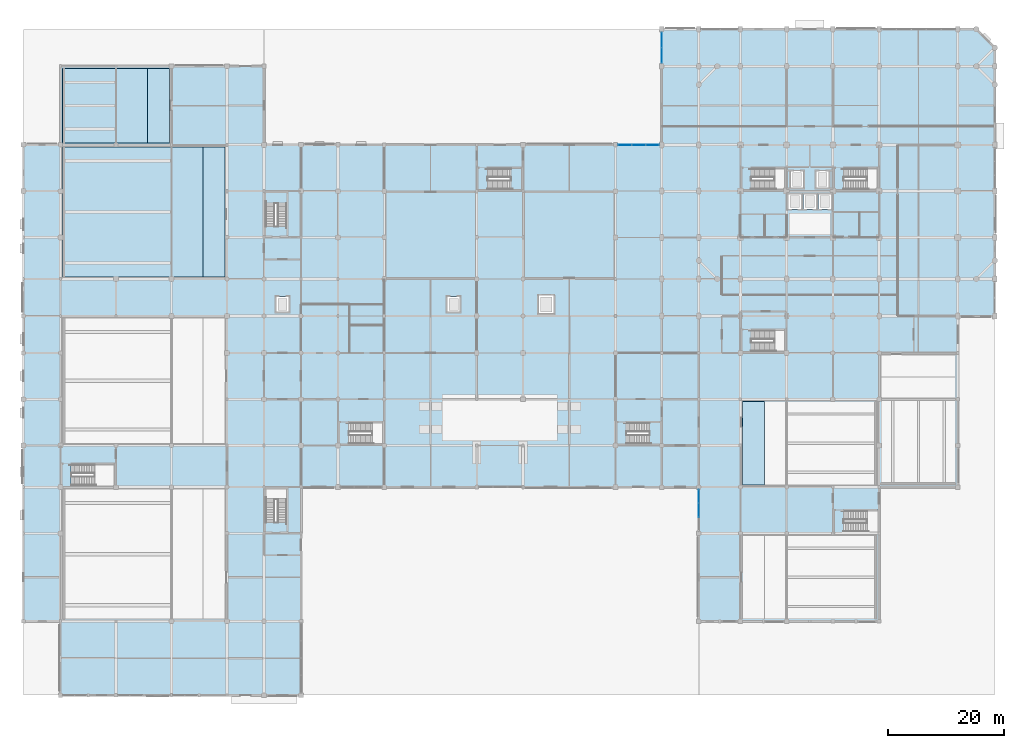
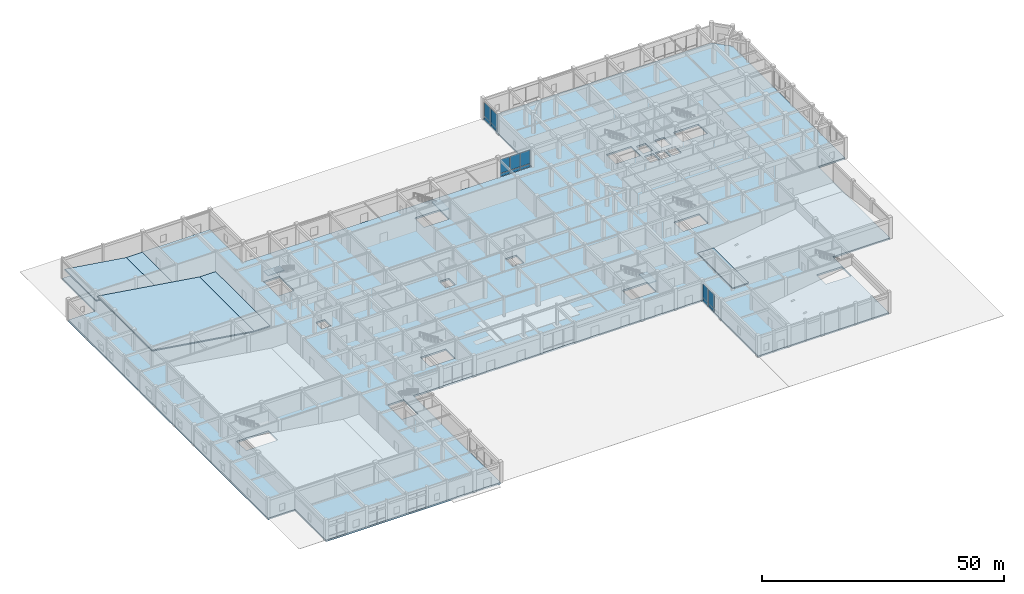
# One storey, part 21 of 40: 14 plates, 9 slabs, 6 elements without a shape of their own.
"""IFC4 building model written with IfcOpenShell, lengths in metres."""

import ifcopenshell
import ifcopenshell.guid

model = None  # the IFC model being written
_history = None  # IfcOwnerHistory: only IFC2X3 demands one
_inside = {}  # id of a spatial element -> (the spatial element, [elements in it])
_under = {}  # id of a project, library or spatial element -> (it, [spatial elements below it])
_declared = {}  # id of a project -> (the project, [libraries it declares])
_typed = {}  # id of a type object -> (the type object, [elements of that type])
_made_of = {}  # id of a material, layer set ... -> (it, [elements and type objects made of it])


def new_model(schema):
    """Start an empty IFC model of exactly this schema.

    Asked for "IFC4X3", IfcOpenShell would pick the latest addendum, in which some entities
    have other attributes; the version numbers below select the first issue.
    IFC2X3 requires an IfcOwnerHistory on every rooted entity: one is made here for all.
    """
    global model, _history
    if schema == "IFC4X3":
        model = ifcopenshell.file(schema_version=(4, 3, 0, 0))
    else:
        model = ifcopenshell.file(schema=schema)
    _inside.clear()
    _under.clear()
    _declared.clear()
    _typed.clear()
    _made_of.clear()
    _history = None
    if model.schema == "IFC2X3":
        org = make("IfcOrganization", Name="unknown")
        user = make(
            "IfcPersonAndOrganization",
            ThePerson=make("IfcPerson", FamilyName="unknown"),
            TheOrganization=org,
        )
        app = make(
            "IfcApplication",
            ApplicationDeveloper=org,
            Version="unknown",
            ApplicationFullName="unknown",
            ApplicationIdentifier="unknown",
        )
        _history = make(
            "IfcOwnerHistory",
            OwningUser=user,
            OwningApplication=app,
            ChangeAction="ADDED",
            CreationDate=0,
        )
    return model


def make(cls, **values):
    """One entity of the class cls with the attributes given. An attribute that is None is left unset."""
    return model.create_entity(
        cls, **{name: value for name, value in values.items() if value is not None}
    )


def rooted(cls, **values):
    """An entity with a GlobalId (a new one), such as an element, a storey or a relation."""
    return make(cls, GlobalId=ifcopenshell.guid.new(), OwnerHistory=_history, **values)


def si_unit(unit_type, name, prefix=None):
    """IfcSIUnit, for example si_unit("LENGTHUNIT", "METRE", prefix="MILLI")."""
    return make("IfcSIUnit", UnitType=unit_type, Prefix=prefix, Name=name)


def assignment(units):
    """IfcUnitAssignment: the units of a project."""
    return None if units is None else make("IfcUnitAssignment", Units=units)


def point(xyz):
    """IfcCartesianPoint."""
    return None if xyz is None else make("IfcCartesianPoint", Coordinates=xyz)


def direction(xyz):
    """IfcDirection."""
    return None if xyz is None else make("IfcDirection", DirectionRatios=xyz)


def frame(location, z_axis=None, x_axis=None):
    """IfcAxis2Placement3D, a coordinate frame: its origin and axes. An axis left out is left unset."""
    return make(
        "IfcAxis2Placement3D",
        Location=point(location),
        Axis=direction(z_axis),
        RefDirection=direction(x_axis),
    )


def frame_2d(location, x_axis=None):
    """IfcAxis2Placement2D, a coordinate frame in the plane: its origin and x axis."""
    return make(
        "IfcAxis2Placement2D", Location=point(location), RefDirection=direction(x_axis)
    )


def origin():
    """The frame at (0, 0, 0) with its axes left unset."""
    return frame((0.0, 0.0, 0.0))


def origin_2d():
    """The frame at (0, 0) in the plane with its x axis left unset."""
    return frame_2d((0.0, 0.0))


def place(relative_to, where):
    """IfcLocalPlacement: puts the frame where relative to a parent placement (None: the world)."""
    return make(
        "IfcLocalPlacement", PlacementRelTo=relative_to, RelativePlacement=where
    )


def context(
    kind, dimensions, precision=None, world=None, true_north=None, identifier=None
):
    """IfcGeometricRepresentationContext, for example the 3D "Model" context."""
    return make(
        "IfcGeometricRepresentationContext",
        ContextIdentifier=identifier,
        ContextType=kind,
        CoordinateSpaceDimension=dimensions,
        Precision=precision,
        WorldCoordinateSystem=world,
        TrueNorth=true_north,
    )


def subcontext(parent, identifier, kind, view, scale=None):
    """IfcGeometricRepresentationSubContext, for example "Body" below "Model"."""
    return make(
        "IfcGeometricRepresentationSubContext",
        ContextIdentifier=identifier,
        ContextType=kind,
        ParentContext=parent,
        TargetScale=scale,
        TargetView=view,
    )


def project(units=None, contexts=None):
    """IfcProject with its units and contexts."""
    return rooted(
        "IfcProject",
        Name="project",
        RepresentationContexts=contexts,
        UnitsInContext=assignment(units),
    )


def spatial(cls, under=None, at=None, **own):
    """A site, building, storey or space (cls), placed at a placement, below another one or the project."""
    s = rooted(cls, ObjectPlacement=at, **own)
    if under is not None:
        _under.setdefault(under.id(), (under, []))[1].append(s)
    return s


def polyline(points):
    """IfcPolyline through the points."""
    return make("IfcPolyline", Points=[point(p) for p in points])


def profile(cls, at=None, kind="AREA", **sizes):
    """A parametric profile (cls). Its sizes go by their IFC names, for example OverallWidth=200.0."""
    return make(cls, ProfileType=kind, Position=at, **sizes)


def rectangle(**sizes):
    """IfcRectangleProfileDef."""
    return profile("IfcRectangleProfileDef", **sizes)


def outline(outer, holes=None, kind="AREA"):
    """IfcArbitraryClosedProfileDef: a profile drawn as a closed curve; with holes, ...WithVoids."""
    if holes is None:
        return make("IfcArbitraryClosedProfileDef", ProfileType=kind, OuterCurve=outer)
    return make(
        "IfcArbitraryProfileDefWithVoids",
        ProfileType=kind,
        OuterCurve=outer,
        InnerCurves=holes,
    )


def extrude(swept, where, along, depth):
    """IfcExtrudedAreaSolid: the profile swept, set in the frame where, extruded along a direction by depth."""
    return make(
        "IfcExtrudedAreaSolid",
        SweptArea=swept,
        Position=where,
        ExtrudedDirection=direction(along),
        Depth=depth,
    )


def shape(context_of_items, identifier, shape_type, items):
    """IfcShapeRepresentation: the items that make up one representation, for example the "Body"."""
    return make(
        "IfcShapeRepresentation",
        ContextOfItems=context_of_items,
        RepresentationIdentifier=identifier,
        RepresentationType=shape_type,
        Items=items,
    )


def material(Name=None, Category=None):
    """IfcMaterial."""
    return make("IfcMaterial", Name=Name, Category=Category)


def layer(
    of_material, thickness, ventilated=None, Name=None, Category=None, Priority=None
):
    """IfcMaterialLayer: one layer of a wall or slab, of a material (None: an air gap)."""
    return make(
        "IfcMaterialLayer",
        Material=of_material,
        LayerThickness=thickness,
        IsVentilated=ventilated,
        Name=Name,
        Category=Category,
        Priority=Priority,
    )


def layer_set(layers, Name=None):
    """IfcMaterialLayerSet."""
    return make("IfcMaterialLayerSet", MaterialLayers=layers, LayerSetName=Name)


def made_of(thing, what):
    """Note that an element or type object is made of a material, layer set ...; save() writes the relation."""
    if what is not None:
        _made_of.setdefault(what.id(), (what, []))[1].append(thing)
    return thing


def type_object(cls, material=None, **own):
    """A type object (cls), such as IfcWallType, which elements share."""
    return made_of(rooted(cls, **own), material)


def element(
    cls,
    number,
    at=None,
    inside=None,
    cuts=None,
    type_object=None,
    material=None,
    context=None,
    identifier="Body",
    shape_type=None,
    held_by="IfcProductDefinitionShape",
    body=None,
    shapes=None,
    **own,
):
    """One element of the class cls, such as IfcWall. Its Tag is "e" and its number.

    at: its placement. inside: the storey or other place that contains it. cuts: it is an
    opening in that element (IfcRelVoidsElement). A single representation is given by context,
    identifier, shape_type and body (its items); several are given by shapes. held_by: the class
    of the entity that holds the representations. save() writes the other relations.
    """
    e = rooted(cls, Tag="e%d" % number, ObjectPlacement=at, **own)
    if body is not None:
        shapes = [shape(context, identifier, shape_type, body)]
    if shapes is not None:
        e.Representation = make(held_by, Representations=shapes)
    if inside is not None:
        _inside.setdefault(inside.id(), (inside, []))[1].append(e)
    if cuts is not None:
        rooted(
            "IfcRelVoidsElement", RelatingBuildingElement=cuts, RelatedOpeningElement=e
        )
    if type_object is not None:
        _typed.setdefault(type_object.id(), (type_object, []))[1].append(e)
    return made_of(e, material)


def aggregate(whole, parts):
    """IfcRelAggregates: a whole, such as a stair, and the parts it consists of."""
    return rooted("IfcRelAggregates", RelatingObject=whole, RelatedObjects=parts)


def save(model, path):
    """Write the relations noted so far, then the file.

    IfcRelAggregates (storeys below a building ...), IfcRelContainedInSpatialStructure (elements
    in a storey), IfcRelDefinesByType, IfcRelAssociatesMaterial and IfcRelDeclares: one each for
    every whole, place, type object, material and project.
    """
    for whole, parts in _under.values():
        aggregate(whole, parts)
    for where, things in _inside.values():
        rooted(
            "IfcRelContainedInSpatialStructure",
            RelatedElements=things,
            RelatingStructure=where,
        )
    for kind, things in _typed.values():
        rooted("IfcRelDefinesByType", RelatedObjects=things, RelatingType=kind)
    for what, things in _made_of.values():
        rooted("IfcRelAssociatesMaterial", RelatedObjects=things, RelatingMaterial=what)
    for by, libraries in _declared.values():
        rooted("IfcRelDeclares", RelatingContext=by, RelatedDefinitions=libraries)
    model.write(path)


model = new_model("IFC4")

# Units and contexts
model_context = context("Model", 3, precision=1e-05, world=origin(), true_north=direction((0.0, 1.0)))
body_context = subcontext(model_context, "Body", "Model", "MODEL_VIEW")
ifc_project = project(units=[si_unit("LENGTHUNIT", "METRE"), si_unit("AREAUNIT", "SQUARE_METRE"), si_unit("VOLUMEUNIT", "CUBIC_METRE"), si_unit("PLANEANGLEUNIT", "RADIAN"), si_unit("MASSUNIT", "GRAM", prefix="KILO")], contexts=[model_context])

# Site, building, storey
site_placement = place(None, origin())
site = spatial("IfcSite", under=ifc_project, at=site_placement, CompositionType="ELEMENT")
building_placement = place(site_placement, origin())
building = spatial("IfcBuilding", under=site, at=building_placement, Name="Vellmiral Cinema and Media Centre", CompositionType="ELEMENT")
storey_placement = place(building_placement, origin())
storey = spatial("IfcBuildingStorey", under=building, at=storey_placement, Name="L00", CompositionType="ELEMENT", Elevation=0.0)

# Curtain wall, plates
ifc_material_1 = material(Name="Thermally Broken Aluminium and Triple Glazing", Category="aluminium")
curtain_wall_type_1 = type_object("IfcCurtainWallType", Name="CW-LIB-BAY", PredefinedType="USERDEFINED", material=ifc_material_1)
curtain_wall_1_placement = place(storey_placement, origin())
curtain_wall_1 = element("IfcCurtainWall", 1, at=curtain_wall_1_placement, inside=storey, type_object=curtain_wall_type_1, Name="Curtain Wall L00-B053", ObjectType="STICK CURTAIN WALL", PredefinedType="USERDEFINED")
ifc_material_2 = material(Name="Laminated Studio Acoustic Glazing", Category="glass")
ifc_layer_1 = layer(ifc_material_2, 0.0439453125, Name="Laminated Studio Acoustic Glazing")
ifc_layer_set_1 = layer_set([ifc_layer_1], Name="Laminated Studio Acoustic Glazing")
plate_type_1 = type_object("IfcPlateType", Name="CWP-ACOUST-44", PredefinedType="CURTAIN_PANEL", material=ifc_layer_set_1)
plate_1_placement = place(storey_placement, frame((110.39990234375, 113.33251953125, 0.93505859375), z_axis=(0.0, 0.0, 1.0), x_axis=(0.0, -1.0, 0.0)))
plate_1 = element("IfcPlate", 2, at=plate_1_placement, type_object=plate_type_1, Name="CW-03 panel 1.2", PredefinedType="CURTAIN_PANEL", context=body_context, shape_type="SweptSolid", body=[
    extrude(rectangle(XDim=2.594970703125, YDim=0.0439453125, at=origin_2d()), origin(), (0.0, 0.0, 1.0), 3.47509765625),
])
plate_2_placement = place(storey_placement, frame((110.39990234375, 110.66748046875, 0.93505859375), z_axis=(0.0, 0.0, 1.0), x_axis=(0.0, -1.0, 0.0)))
plate_2 = element("IfcPlate", 3, at=plate_2_placement, type_object=plate_type_1, Name="CW-03 panel 2.2", PredefinedType="CURTAIN_PANEL", context=body_context, shape_type="SweptSolid", body=[
    extrude(rectangle(XDim=2.594970703125, YDim=0.0439453125, at=origin_2d()), origin(), (0.0, 0.0, 1.0), 3.47509765625),
])

curtain_wall_2_placement = place(storey_placement, origin())
curtain_wall_2 = element("IfcCurtainWall", 4, at=curtain_wall_2_placement, inside=storey, type_object=curtain_wall_type_1, Name="Curtain Wall L00-B055", ObjectType="STICK CURTAIN WALL", PredefinedType="USERDEFINED")
plate_3_placement = place(storey_placement, frame((108.799072265625, 95.199951171875, 0.93505859375), z_axis=(0.0, 0.0, 1.0), x_axis=(-1.0, 0.0, 0.0)))
plate_3 = element("IfcPlate", 5, at=plate_3_placement, type_object=plate_type_1, Name="CW-03 panel 1.2", PredefinedType="CURTAIN_PANEL", context=body_context, shape_type="SweptSolid", body=[
    extrude(rectangle(XDim=2.311767578125, YDim=0.0439453125, at=origin_2d()), origin(), (0.0, 0.0, 1.0), 3.47509765625),
])
plate_4_placement = place(storey_placement, frame((106.39990234375, 95.199951171875, 0.93505859375), z_axis=(0.0, 0.0, 1.0), x_axis=(-1.0, 0.0, 0.0)))
plate_4 = element("IfcPlate", 6, at=plate_4_placement, type_object=plate_type_1, Name="CW-03 panel 2.2", PredefinedType="CURTAIN_PANEL", context=body_context, shape_type="SweptSolid", body=[
    extrude(rectangle(XDim=2.3466796875, YDim=0.0439453125, at=origin_2d()), origin(), (0.0, 0.0, 1.0), 3.47509765625),
])
plate_5_placement = place(storey_placement, frame((104.000732421875, 95.199951171875, 0.93505859375), z_axis=(0.0, 0.0, 1.0), x_axis=(-1.0, 0.0, 0.0)))
plate_5 = element("IfcPlate", 7, at=plate_5_placement, type_object=plate_type_1, Name="CW-03 panel 3.2", PredefinedType="CURTAIN_PANEL", context=body_context, shape_type="SweptSolid", body=[
    extrude(rectangle(XDim=2.311767578125, YDim=0.0439453125, at=origin_2d()), origin(), (0.0, 0.0, 1.0), 3.47509765625),
])

# Plate
ifc_material_3 = material(Name="Honed Vosges Sandstone Spandrel Panel", Category="masonry")
ifc_layer_2 = layer(ifc_material_3, 0.06005859375, Name="Honed Vosges Sandstone Spandrel Panel")
ifc_layer_set_2 = layer_set([ifc_layer_2], Name="Honed Vosges Sandstone Spandrel Panel")
plate_type_2 = type_object("IfcPlateType", Name="CWP-SAND-60", PredefinedType="CURTAIN_PANEL", material=ifc_layer_set_2)
plate_6_placement = place(storey_placement, frame((110.39990234375, 113.33251953125, 0.070068359375), z_axis=(0.0, 0.0, 1.0), x_axis=(0.0, -1.0, 0.0)))
plate_6 = element("IfcPlate", 8, at=plate_6_placement, type_object=plate_type_2, Name="CW-03 panel 1.1", PredefinedType="CURTAIN_PANEL", context=body_context, shape_type="SweptSolid", body=[
    extrude(rectangle(XDim=2.594970703125, YDim=0.06005859375, at=origin_2d()), origin(), (0.0, 0.0, 1.0), 0.794921875),
])

plate_7_placement = place(storey_placement, frame((110.39990234375, 110.66748046875, 0.070068359375), z_axis=(0.0, 0.0, 1.0), x_axis=(0.0, -1.0, 0.0)))
plate_7 = element("IfcPlate", 9, at=plate_7_placement, type_object=plate_type_2, Name="CW-03 panel 2.1", PredefinedType="CURTAIN_PANEL", context=body_context, shape_type="SweptSolid", body=[
    extrude(rectangle(XDim=2.594970703125, YDim=0.06005859375, at=origin_2d()), origin(), (0.0, 0.0, 1.0), 0.794921875),
])

aggregate(curtain_wall_1, [plate_6, plate_1, plate_7, plate_2])

plate_8_placement = place(storey_placement, frame((108.799072265625, 95.199951171875, 0.070068359375), z_axis=(0.0, 0.0, 1.0), x_axis=(-1.0, 0.0, 0.0)))
plate_8 = element("IfcPlate", 10, at=plate_8_placement, type_object=plate_type_2, Name="CW-03 panel 1.1", PredefinedType="CURTAIN_PANEL", context=body_context, shape_type="SweptSolid", body=[
    extrude(rectangle(XDim=2.311767578125, YDim=0.06005859375, at=origin_2d()), origin(), (0.0, 0.0, 1.0), 0.794921875),
])

plate_9_placement = place(storey_placement, frame((106.39990234375, 95.199951171875, 0.070068359375), z_axis=(0.0, 0.0, 1.0), x_axis=(-1.0, 0.0, 0.0)))
plate_9 = element("IfcPlate", 11, at=plate_9_placement, type_object=plate_type_2, Name="CW-03 panel 2.1", PredefinedType="CURTAIN_PANEL", context=body_context, shape_type="SweptSolid", body=[
    extrude(rectangle(XDim=2.3466796875, YDim=0.06005859375, at=origin_2d()), origin(), (0.0, 0.0, 1.0), 0.794921875),
])

plate_10_placement = place(storey_placement, frame((104.000732421875, 95.199951171875, 0.070068359375), z_axis=(0.0, 0.0, 1.0), x_axis=(-1.0, 0.0, 0.0)))
plate_10 = element("IfcPlate", 12, at=plate_10_placement, type_object=plate_type_2, Name="CW-03 panel 3.1", PredefinedType="CURTAIN_PANEL", context=body_context, shape_type="SweptSolid", body=[
    extrude(rectangle(XDim=2.311767578125, YDim=0.06005859375, at=origin_2d()), origin(), (0.0, 0.0, 1.0), 0.794921875),
])

aggregate(curtain_wall_2, [plate_8, plate_3, plate_9, plate_4, plate_10, plate_5])

# Curtain wall, plates
ifc_material_4 = material(Name="Thermally Broken Aluminium and Triple Glazing", Category="aluminium")
curtain_wall_type_2 = type_object("IfcCurtainWallType", Name="CW-POD-GALLERY", PredefinedType="USERDEFINED", material=ifc_material_4)
curtain_wall_3_placement = place(storey_placement, origin())
curtain_wall_3 = element("IfcCurtainWall", 13, at=curtain_wall_3_placement, inside=storey, type_object=curtain_wall_type_2, Name="Curtain Wall L00-B019", ObjectType="STICK CURTAIN WALL", PredefinedType="USERDEFINED")
ifc_material_5 = material(Name="Polychrome Trencadis Ceramic Spandrel Panel", Category="ceramic")
ifc_layer_3 = layer(ifc_material_5, 0.052001953125, Name="Polychrome Trencadis Ceramic Spandrel Panel")
ifc_layer_set_3 = layer_set([ifc_layer_3], Name="Polychrome Trencadis Ceramic Spandrel Panel")
plate_type_3 = type_object("IfcPlateType", Name="CWP-TRENC-52", PredefinedType="CURTAIN_PANEL", material=ifc_layer_set_3)
plate_11_placement = place(storey_placement, frame((116.800048828125, 34.399169921875, 0.070068359375), z_axis=(0.0, 0.0, 1.0), x_axis=(0.0, -1.0, 0.0)))
plate_11 = element("IfcPlate", 14, at=plate_11_placement, type_object=plate_type_3, Name="CW-04 panel 1.1", PredefinedType="CURTAIN_PANEL", context=body_context, shape_type="SweptSolid", body=[
    extrude(rectangle(XDim=2.311767578125, YDim=0.052001953125, at=origin_2d()), origin(), (0.0, 0.0, 1.0), 0.794921875),
])
plate_12_placement = place(storey_placement, frame((116.800048828125, 32.0, 0.070068359375), z_axis=(0.0, 0.0, 1.0), x_axis=(0.0, -1.0, 0.0)))
plate_12 = element("IfcPlate", 15, at=plate_12_placement, type_object=plate_type_3, Name="CW-04 panel 2.1", PredefinedType="CURTAIN_PANEL", context=body_context, shape_type="SweptSolid", body=[
    extrude(rectangle(XDim=2.3466796875, YDim=0.052001953125, at=origin_2d()), origin(), (0.0, 0.0, 1.0), 0.794921875),
])
ifc_material_6 = material(Name="Triple Low-E Vision Glazing", Category="glass")
ifc_layer_4 = layer(ifc_material_6, 0.0380859375, Name="Triple Low-E Vision Glazing")
ifc_layer_set_4 = layer_set([ifc_layer_4], Name="Triple Low-E Vision Glazing")
plate_type_4 = type_object("IfcPlateType", Name="CWP-VISION-38", PredefinedType="CURTAIN_PANEL", material=ifc_layer_set_4)
plate_13_placement = place(storey_placement, frame((116.800048828125, 34.399169921875, 0.93505859375), z_axis=(0.0, 0.0, 1.0), x_axis=(0.0, -1.0, 0.0)))
plate_13 = element("IfcPlate", 16, at=plate_13_placement, type_object=plate_type_4, Name="CW-04 panel 1.2", PredefinedType="CURTAIN_PANEL", context=body_context, shape_type="SweptSolid", body=[
    extrude(rectangle(XDim=2.311767578125, YDim=0.0380859375, at=origin_2d()), origin(), (0.0, 0.0, 1.0), 3.47509765625),
])
plate_14_placement = place(storey_placement, frame((116.800048828125, 32.0, 0.93505859375), z_axis=(0.0, 0.0, 1.0), x_axis=(0.0, -1.0, 0.0)))
plate_14 = element("IfcPlate", 17, at=plate_14_placement, type_object=plate_type_4, Name="CW-04 panel 2.2", PredefinedType="CURTAIN_PANEL", context=body_context, shape_type="SweptSolid", body=[
    extrude(rectangle(XDim=2.3466796875, YDim=0.0380859375, at=origin_2d()), origin(), (0.0, 0.0, 1.0), 3.47509765625),
])
aggregate(curtain_wall_3, [plate_11, plate_13, plate_12, plate_14])

# Slab
ifc_material_7 = material(Name="Concrete C40/50", Category="concrete")
ifc_layer_5 = layer(ifc_material_7, 0.419921875, Name="Concrete C40/50")
ifc_layer_set_5 = layer_set([ifc_layer_5], Name="Concrete C40/50")
slab_type_1 = type_object("IfcSlabType", Name="SLB-FLR-420", PredefinedType="FLOOR", material=ifc_layer_set_5)
slab_1_placement = place(storey_placement, frame((0.0, 0.0, -0.419921875)))
element("IfcSlab", 18, at=slab_1_placement, inside=storey, type_object=slab_type_1, Name="L00 Structural Slab", PredefinedType="FLOOR", context=body_context, shape_type="SweptSolid", body=[
    extrude(outline(polyline([(6.39990234375, 0.0), (48.0, 0.0), (48.0, 36.0), (116.800048828125, 36.0), (116.800048828125, 12.800048828125), (148.0, 12.800048828125), (148.0, 36.0), (161.60009765625, 36.0), (161.60009765625, 65.60009765625), (168.0, 65.60009765625), (168.0, 112.0), (164.800048828125, 115.199951171875), (110.39990234375, 115.199951171875), (110.39990234375, 95.199951171875), (41.60009765625, 95.199951171875), (41.60009765625, 108.800048828125), (6.39990234375, 108.800048828125), (6.39990234375, 95.199951171875), (0.0, 95.199951171875), (0.0, 12.800048828125), (6.39990234375, 12.800048828125), (6.39990234375, 0.0)]), holes=[polyline([(41.780029296875, 29.85009765625), (45.6201171875, 29.85009765625), (45.6201171875, 35.820068359375), (41.780029296875, 35.820068359375), (41.780029296875, 29.85009765625)]), polyline([(41.780029296875, 81.050048828125), (45.6201171875, 81.050048828125), (45.6201171875, 87.02001953125), (41.780029296875, 87.02001953125), (41.780029296875, 81.050048828125)]), polyline([(56.25, 43.3798828125), (62.219970703125, 43.3798828125), (62.219970703125, 47.219970703125), (56.25, 47.219970703125), (56.25, 43.3798828125)]), polyline([(104.25, 43.3798828125), (110.219970703125, 43.3798828125), (110.219970703125, 47.219970703125), (104.25, 47.219970703125), (104.25, 43.3798828125)]), polyline([(80.25, 87.3798828125), (86.219970703125, 87.3798828125), (86.219970703125, 91.219970703125), (80.25, 91.219970703125), (80.25, 87.3798828125)]), polyline([(125.85009765625, 59.3798828125), (131.820068359375, 59.3798828125), (131.820068359375, 63.219970703125), (125.85009765625, 63.219970703125), (125.85009765625, 59.3798828125)]), polyline([(8.25, 36.179931640625), (15.820068359375, 36.179931640625), (15.820068359375, 40.02001953125), (8.25, 40.02001953125), (8.25, 36.179931640625)]), polyline([(141.85009765625, 28.179931640625), (147.820068359375, 28.179931640625), (147.820068359375, 32.02001953125), (141.85009765625, 32.02001953125), (141.85009765625, 28.179931640625)]), polyline([(125.85009765625, 87.3798828125), (131.820068359375, 87.3798828125), (131.820068359375, 91.219970703125), (125.85009765625, 91.219970703125), (125.85009765625, 87.3798828125)]), polyline([(141.85009765625, 87.3798828125), (147.820068359375, 87.3798828125), (147.820068359375, 91.219970703125), (141.85009765625, 91.219970703125), (141.85009765625, 87.3798828125)]), polyline([(132.699951171875, 87.75), (134.89990234375, 87.75), (134.89990234375, 90.64990234375), (132.699951171875, 90.64990234375), (132.699951171875, 87.75)]), polyline([(137.10009765625, 87.75), (139.300048828125, 87.75), (139.300048828125, 90.64990234375), (137.10009765625, 90.64990234375), (137.10009765625, 87.75)]), polyline([(132.300048828125, 84.10009765625), (134.5, 84.10009765625), (134.5, 86.699951171875), (132.300048828125, 86.699951171875), (132.300048828125, 84.10009765625)]), polyline([(134.89990234375, 84.10009765625), (137.10009765625, 84.10009765625), (137.10009765625, 86.699951171875), (134.89990234375, 86.699951171875), (134.89990234375, 84.10009765625)]), polyline([(137.5, 84.10009765625), (139.699951171875, 84.10009765625), (139.699951171875, 86.699951171875), (137.5, 86.699951171875), (137.5, 84.10009765625)]), polyline([(43.699951171875, 66.300048828125), (45.89990234375, 66.300048828125), (45.89990234375, 68.89990234375), (43.699951171875, 68.89990234375), (43.699951171875, 66.300048828125)]), polyline([(73.300048828125, 66.300048828125), (75.5, 66.300048828125), (75.5, 68.89990234375), (73.300048828125, 68.89990234375), (73.300048828125, 66.300048828125)]), polyline([(89.10009765625, 66.050048828125), (91.699951171875, 66.050048828125), (91.699951171875, 69.14990234375), (89.10009765625, 69.14990234375), (89.10009765625, 66.050048828125)])]), origin(), (0.0, 0.0, 1.0), 0.419921875),
])

# Stair, slab
ifc_material_8 = material(Name="Concrete C40/50", Category="concrete")
stair_type = type_object("IfcStairType", Name="ST-2RET-540", PredefinedType="HALF_TURN_STAIR", material=ifc_material_8)
stair_1_placement = place(storey_placement, origin())
stair_1 = element("IfcStair", 19, at=stair_1_placement, inside=storey, type_object=stair_type, Name="Protected Escape Stair ST-P2 (L00)", PredefinedType="HALF_TURN_STAIR")
ifc_material_9 = material(Name="Concrete C40/50", Category="concrete")
ifc_layer_6 = layer(ifc_material_9, 0.219970703125, Name="Concrete C40/50")
ifc_layer_set_6 = layer_set([ifc_layer_6], Name="Concrete C40/50")
slab_type_2 = type_object("IfcSlabType", Name="SLB-LAND-220", PredefinedType="LANDING", material=ifc_layer_set_6)
slab_2_placement = place(storey_placement, frame((0.0, 0.0, 2.47998046875)))
slab_2 = element("IfcSlab", 20, at=slab_2_placement, type_object=slab_type_2, Name="ST-P2 landing 1", PredefinedType="LANDING", context=body_context, shape_type="SweptSolid", body=[
    extrude(outline(polyline([(41.780029296875, 85.110107421875), (45.6201171875, 85.110107421875), (45.6201171875, 87.02001953125), (41.780029296875, 87.02001953125), (41.780029296875, 85.110107421875)])), origin(), (0.0, 0.0, 1.0), 0.219970703125),
])
aggregate(stair_1, [slab_2])

stair_2_placement = place(storey_placement, origin())
stair_2 = element("IfcStair", 21, at=stair_2_placement, inside=storey, type_object=stair_type, Name="Protected Escape Stair ST-P4 (L00)", PredefinedType="HALF_TURN_STAIR")
slab_3_placement = place(storey_placement, frame((0.0, 0.0, 2.47998046875)))
slab_3 = element("IfcSlab", 22, at=slab_3_placement, type_object=slab_type_2, Name="ST-P4 landing 1", PredefinedType="LANDING", context=body_context, shape_type="SweptSolid", body=[
    extrude(outline(polyline([(108.31005859375, 43.3798828125), (110.219970703125, 43.3798828125), (110.219970703125, 47.219970703125), (108.31005859375, 47.219970703125), (108.31005859375, 43.3798828125)])), origin(), (0.0, 0.0, 1.0), 0.219970703125),
])
aggregate(stair_2, [slab_3])

stair_3_placement = place(storey_placement, origin())
stair_3 = element("IfcStair", 23, at=stair_3_placement, inside=storey, type_object=stair_type, Name="Protected Escape Stair ST-P5 (L00)", PredefinedType="HALF_TURN_STAIR")
slab_4_placement = place(storey_placement, frame((0.0, 0.0, 2.47998046875)))
slab_4 = element("IfcSlab", 24, at=slab_4_placement, type_object=slab_type_2, Name="ST-P5 landing 1", PredefinedType="LANDING", context=body_context, shape_type="SweptSolid", body=[
    extrude(outline(polyline([(84.31005859375, 87.3798828125), (86.219970703125, 87.3798828125), (86.219970703125, 91.219970703125), (84.31005859375, 91.219970703125), (84.31005859375, 87.3798828125)])), origin(), (0.0, 0.0, 1.0), 0.219970703125),
])
aggregate(stair_3, [slab_4])

# Slabs
ifc_material_10 = material(Name="Concrete C40/50", Category="concrete")
ifc_layer_7 = layer(ifc_material_10, 0.199951171875, Name="Concrete C40/50")
ifc_layer_set_7 = layer_set([ifc_layer_7], Name="Concrete C40/50")
slab_type_3 = type_object("IfcSlabType", Name="SLB-PLAT-200", PredefinedType="FLOOR", material=ifc_layer_set_7)
slab_5_placement = place(storey_placement, origin())
element("IfcSlab", 25, at=slab_5_placement, inside=storey, type_object=slab_type_3, Name="Cinema Screen 3 Wheelchair Seating Platform", PredefinedType="FLOOR", context=body_context, shape_type="SweptSolid", body=[
    extrude(outline(polyline([(31.050048828125, 72.35009765625), (34.85009765625, 72.35009765625), (34.85009765625, 94.85009765625), (31.050048828125, 94.85009765625), (31.050048828125, 72.35009765625)])), origin(), (0.0, 0.0, 1.0), 0.199951171875),
])
slab_6_placement = place(storey_placement, origin())
element("IfcSlab", 26, at=slab_6_placement, inside=storey, type_object=slab_type_3, Name="Cinema Screen 4 Wheelchair Seating Platform", PredefinedType="FLOOR", context=body_context, shape_type="SweptSolid", body=[
    extrude(outline(polyline([(21.449951171875, 95.550048828125), (25.25, 95.550048828125), (25.25, 108.449951171875), (21.449951171875, 108.449951171875), (21.449951171875, 95.550048828125)])), origin(), (0.0, 0.0, 1.0), 0.199951171875),
])
slab_7_placement = place(storey_placement, origin())
element("IfcSlab", 27, at=slab_7_placement, inside=storey, type_object=slab_type_3, Name="Cinema Screen 6 Wheelchair Seating Platform", PredefinedType="FLOOR", context=body_context, shape_type="SweptSolid", body=[
    extrude(outline(polyline([(124.35009765625, 36.35009765625), (128.14990234375, 36.35009765625), (128.14990234375, 50.85009765625), (124.35009765625, 50.85009765625), (124.35009765625, 36.35009765625)])), origin(), (0.0, 0.0, 1.0), 0.199951171875),
])
ifc_material_11 = material(Name="Concrete C40/50", Category="concrete")
ifc_layer_8 = layer(ifc_material_11, 0.25, Name="Concrete C40/50")
ifc_layer_set_8 = layer_set([ifc_layer_8], Name="Concrete C40/50")
slab_type_4 = type_object("IfcSlabType", Name="SLB-RAKE-250", PredefinedType="FLOOR", material=ifc_layer_set_8)
slab_8_placement = place(storey_placement, frame((6.75, 72.35009765625, 3.875), z_axis=(0.149535819479, 0.0, 0.988756309053), x_axis=(0.988756309053, 0.0, -0.149535819479)))
element("IfcSlab", 28, at=slab_8_placement, inside=storey, type_object=slab_type_4, Name="Cinema Screen 3 Raked Auditorium Floor Slab", PredefinedType="FLOOR", context=body_context, shape_type="SweptSolid", body=[
    extrude(outline(polyline([(0.0, 0.0), (24.576378027251334, 0.0), (24.576378027251334, 22.5), (0.0, 22.5), (0.0, 0.0)])), origin(), (0.0, 0.0, -1.0), 0.25),
])
slab_9_placement = place(storey_placement, frame((6.75, 95.550048828125, 2.423095703125), z_axis=(0.149534418618, 0.0, 0.988756520913), x_axis=(0.988756520913, 0.0, -0.149534418618)))
element("IfcSlab", 29, at=slab_9_placement, inside=storey, type_object=slab_type_4, Name="Cinema Screen 4 Raked Auditorium Floor Slab", PredefinedType="FLOOR", context=body_context, shape_type="SweptSolid", body=[
    extrude(outline(polyline([(0.0, 0.0), (14.867109203282796, 0.0), (14.867109203282796, 12.899902343750004), (0.0, 12.899902343750004), (0.0, 0.0)])), origin(), (0.0, 0.0, -1.0), 0.25),
])

save(model, "model.ifc")
